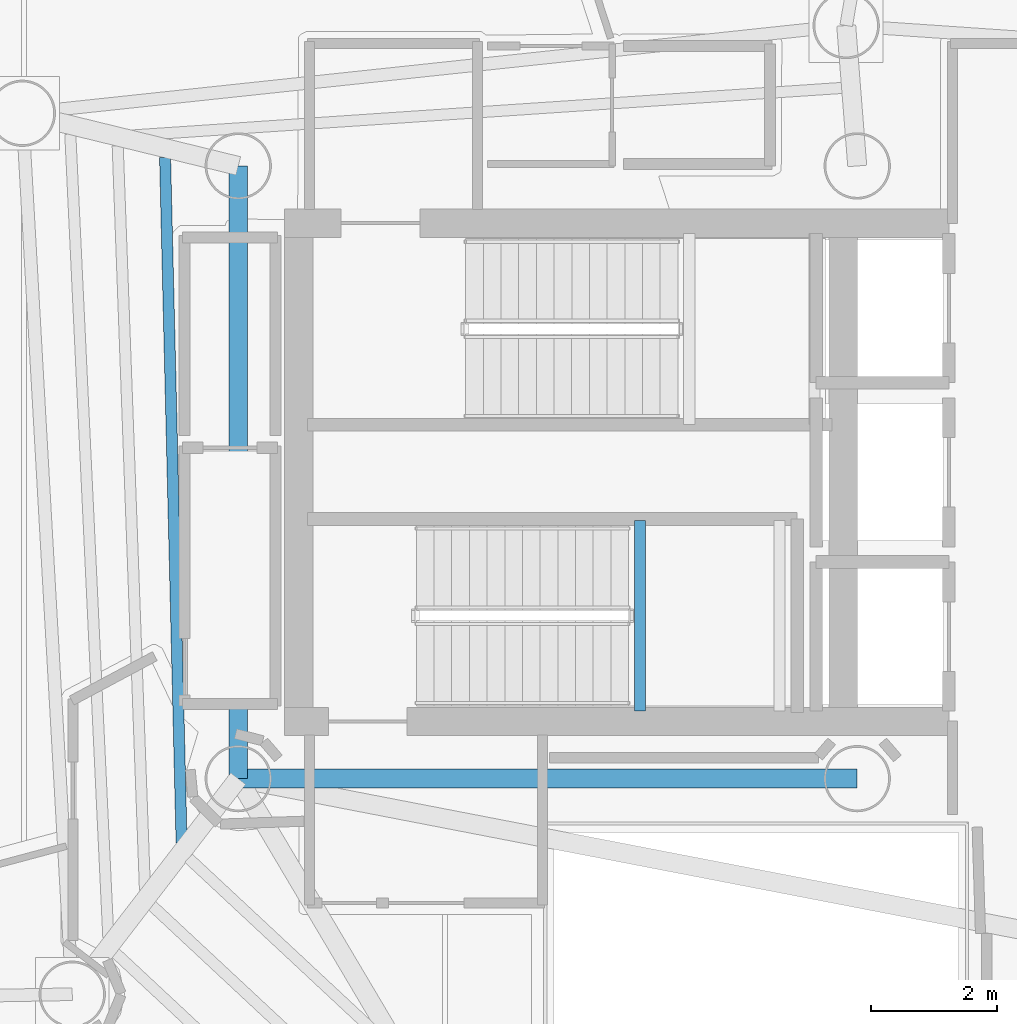
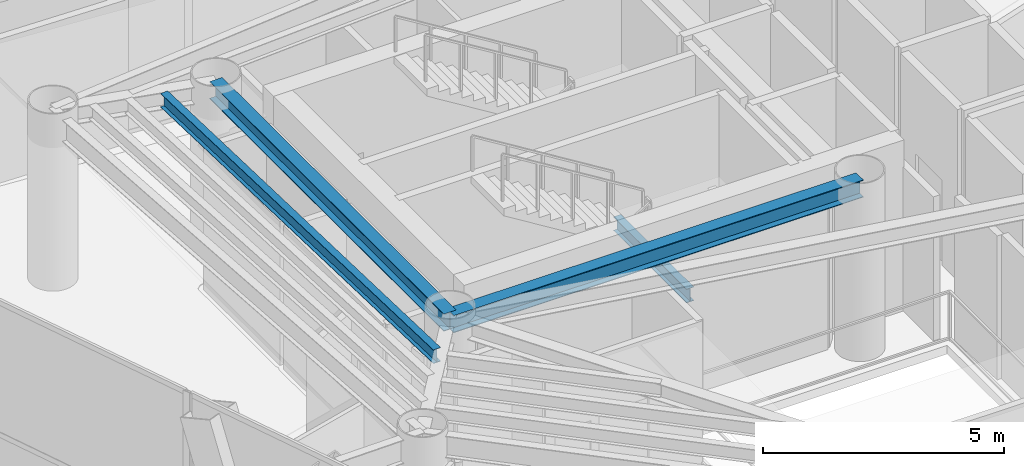
# One storey, part 9 of 21: 4 beams.
"""IFC4 building model written with IfcOpenShell, lengths in metres."""

from ifc_helpers import new_model, si_unit, direction, frame, origin, origin_2d, place, context, subcontext, project, spatial, i_section, extrude, material, material_profile, profile_set, type_object, element, save


model = new_model("IFC4")

# Units and contexts
model_context = context("Model", 3, precision=1e-05, world=origin(), true_north=direction((0.0, 1.0)))
body_context = subcontext(model_context, "Body", "Model", "MODEL_VIEW")
ifc_project = project(units=[si_unit("LENGTHUNIT", "METRE"), si_unit("AREAUNIT", "SQUARE_METRE"), si_unit("VOLUMEUNIT", "CUBIC_METRE"), si_unit("PLANEANGLEUNIT", "RADIAN"), si_unit("MASSUNIT", "GRAM", prefix="KILO")], contexts=[model_context])

# Site, building, storey
site_placement = place(None, origin())
site = spatial("IfcSite", under=ifc_project, at=site_placement, CompositionType="ELEMENT")
building_placement = place(site_placement, origin())
building = spatial("IfcBuilding", under=site, at=building_placement, Name="Qianvela Tower", CompositionType="ELEMENT")
storey_placement = place(building_placement, frame((0.0, 0.0, 234.5)))
storey = spatial("IfcBuildingStorey", under=building, at=storey_placement, Name="L60", CompositionType="ELEMENT", Elevation=234.5)

# Beams
ifc_material_1 = material(Name="Steel Q355B", Category="steel")
ifc_material_profile_1 = material_profile(ifc_material_1, i_section(OverallWidth=0.300048828125, OverallDepth=0.43994140625, WebThickness=0.010986328125, FlangeThickness=0.01806640625, at=origin_2d()), Name="HM440x300x11x18")
ifc_profile_set_1 = profile_set([ifc_material_profile_1], Name="Steel Q355B")
beam_type_1 = type_object("IfcBeamType", Name="BM-HM440-COLL", PredefinedType="BEAM", material=ifc_profile_set_1)
beam_1_placement = place(storey_placement, frame((28.60009765625, 23.85009765625, 4.097900390625), z_axis=(1.0, 0.0, 0.0), x_axis=(0.0, 1.0, 0.0)))
element("IfcBeam", 1, at=beam_1_placement, inside=storey, type_object=beam_type_1, Name="L60 Core Ring Collector Girder CC1", PredefinedType="BEAM", context=body_context, shape_type="SweptSolid", body=[
    extrude(i_section(OverallWidth=0.300048828125, OverallDepth=0.43994140625, WebThickness=0.010986328125, FlangeThickness=0.01806640625, at=origin_2d()), origin(), (0.0, 0.0, 1.0), 9.7998046875),
])
beam_2_placement = place(storey_placement, frame((28.60009765625, 33.550048828125, 4.097900390625), z_axis=(0.0, -1.0, 0.0), x_axis=(1.0, 0.0, 0.0)))
element("IfcBeam", 2, at=beam_2_placement, inside=storey, type_object=beam_type_1, Name="L60 Core Ring Collector Girder CC2", PredefinedType="BEAM", context=body_context, shape_type="SweptSolid", body=[
    extrude(i_section(OverallWidth=0.300048828125, OverallDepth=0.43994140625, WebThickness=0.010986328125, FlangeThickness=0.01806640625, at=origin_2d()), origin(), (0.0, 0.0, 1.0), 9.699951171875),
])
ifc_material_2 = material(Name="Steel Q355B", Category="steel")
ifc_material_profile_2 = material_profile(ifc_material_2, i_section(OverallWidth=0.175048828125, OverallDepth=0.35009765625, WebThickness=0.007080078125, FlangeThickness=0.010986328125, at=origin_2d()), Name="HN350x175x7x11")
ifc_profile_set_2 = profile_set([ifc_material_profile_2], Name="Steel Q355B")
beam_type_2 = type_object("IfcBeamType", Name="BM-HN350-JOIST", PredefinedType="JOIST", material=ifc_profile_set_2)
beam_3_placement = place(storey_placement, frame((27.44140625, 33.6875, 4.14306640625), z_axis=(0.024087497273, -0.999709854145, 0.0), x_axis=(0.999709854145, 0.024087497273, 0.0)))
element("IfcBeam", 3, at=beam_3_placement, inside=storey, type_object=beam_type_2, Name="L60 Secondary Composite Floor Joist 3.1", PredefinedType="JOIST", context=body_context, shape_type="SweptSolid", body=[
    extrude(i_section(OverallWidth=0.175048828125, OverallDepth=0.35009765625, WebThickness=0.007080078125, FlangeThickness=0.010986328125, at=origin_2d()), origin(), (0.0, 0.0, 1.0), 10.855224609375),
])
beam_4_placement = place(storey_placement, frame((34.9599609375, 24.919921875, 1.875), z_axis=(0.0, 1.0, 0.0), x_axis=(-1.0, 0.0, 0.0)))
element("IfcBeam", 4, at=beam_4_placement, inside=storey, type_object=beam_type_2, Name="L60 Stair ST-2 Landing Support Beam 1.1", PredefinedType="JOIST", context=body_context, shape_type="SweptSolid", body=[
    extrude(i_section(OverallWidth=0.175048828125, OverallDepth=0.35009765625, WebThickness=0.007080078125, FlangeThickness=0.010986328125, at=origin_2d()), origin(), (0.0, 0.0, 1.0), 3.02001953125),
])

save(model, "model.ifc")
